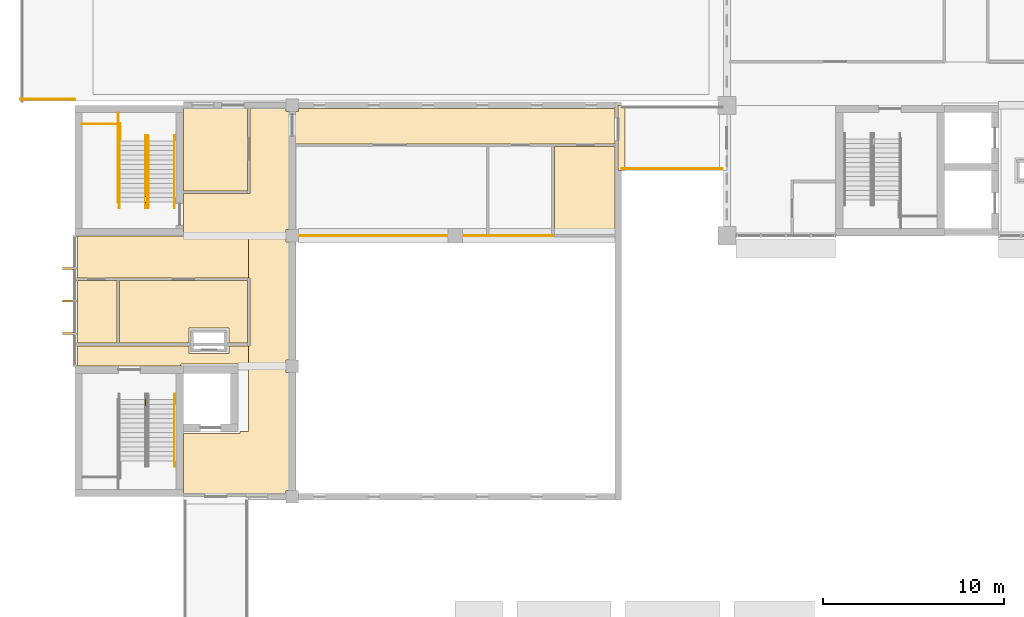
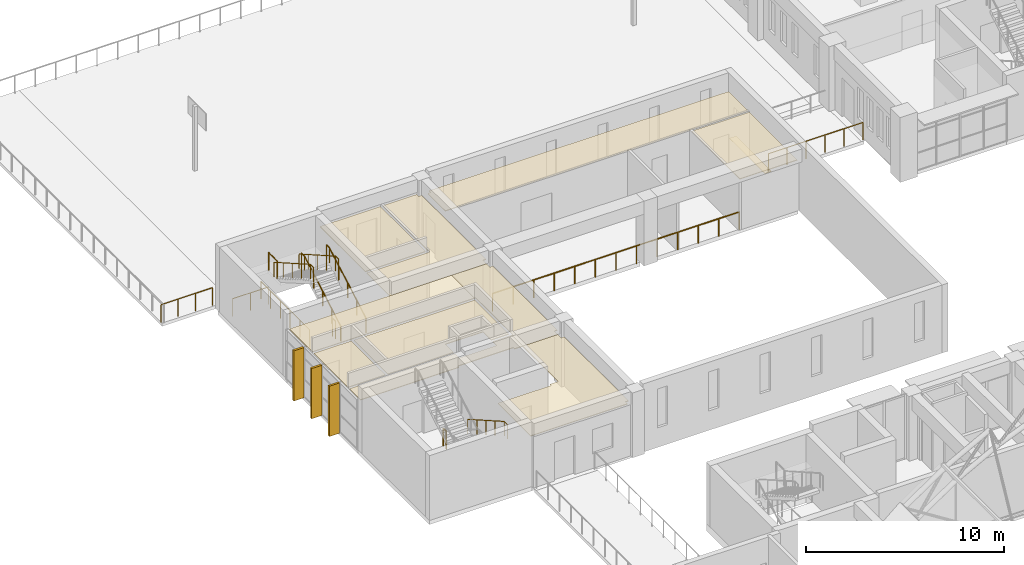
# One storey, part 91 of 101: 13 railings, 11 coverings, 3 shading devices.
"""IFC4 building model written with IfcOpenShell, lengths in metres."""

from ifc_helpers import new_model, si_unit, direction, frame, origin, origin_2d, place, context, subcontext, project, spatial, polyline, rectangle, circle, outline, extrude, material, layer, layer_set, type_object, element, save


model = new_model("IFC4")

# Units and contexts
model_context = context("Model", 3, precision=1e-05, world=origin(), true_north=direction((0.0, 1.0)))
body_context = subcontext(model_context, "Body", "Model", "MODEL_VIEW")
ifc_project = project(units=[si_unit("LENGTHUNIT", "METRE"), si_unit("AREAUNIT", "SQUARE_METRE"), si_unit("VOLUMEUNIT", "CUBIC_METRE"), si_unit("PLANEANGLEUNIT", "RADIAN"), si_unit("MASSUNIT", "GRAM", prefix="KILO")], contexts=[model_context])

# Site, building, storey
site_placement = place(None, origin())
site = spatial("IfcSite", under=ifc_project, at=site_placement, CompositionType="ELEMENT")
building_placement = place(site_placement, origin())
building = spatial("IfcBuilding", under=site, at=building_placement, Name="Laocheng Heights Fire and Rescue Headquarters", CompositionType="ELEMENT")
storey_placement = place(building_placement, frame((0.0, 0.0, 8.39990234375)))
storey = spatial("IfcBuildingStorey", under=building, at=storey_placement, Name="L02", CompositionType="ELEMENT", Elevation=8.39990234375)

# Covering
ifc_material_1 = material(Name="Stainless steel cover plate", Category="steel")
ifc_layer_1 = layer(ifc_material_1, 0.010009765625)
ifc_layer_set_1 = layer_set([ifc_layer_1], Name="Stainless steel cover plate")
covering_type_1 = type_object("IfcCoveringType", Name="MOVEMENT JOINT COVER PLATE 10", PredefinedType="FLOORING", material=ifc_layer_set_1)
covering_1_placement = place(storey_placement, frame((30.175048828125, 55.800048828125, -0.009765625), z_axis=(0.0, 0.0, 1.0), x_axis=(1.0, 0.0, 0.0)))
element("IfcCovering", 1, at=covering_1_placement, inside=storey, type_object=covering_type_1, Name="Bridge B2 movement joint cover plate", PredefinedType="FLOORING", context=body_context, shape_type="SweptSolid", body=[
    extrude(rectangle(XDim=0.39990234375, YDim=3.60009765625, at=origin_2d()), origin(), (0.0, 0.0, 1.0), 0.010009765625),
])

# Shading devices
ifc_material_2 = material(Name="Precast concrete C40/50, light warm grey", Category="concrete")
ifc_layer_2 = layer(ifc_material_2, 0.1201171875)
ifc_layer_set_2 = layer_set([ifc_layer_2], Name="Precast concrete C40/50, light warm grey")
shading_device_type = type_object("IfcShadingDeviceType", Name="PRECAST VERTICAL FIN 120 x 600", PredefinedType="AWNING", material=ifc_layer_set_2)
for number, where, z_axis, x_axis, name in (
    (2, (-0.375, 45.0, 0.0), (0.0, 0.0, 1.0), (1.0, 0.0, 0.0), "FIN FOYER L02"),
    (3, (-0.375, 46.800048828125, 0.0), (0.0, 0.0, 1.0), (1.0, 0.0, 0.0), "FIN FOYER L02"),
    (4, (-0.375, 48.60009765625, 0.0), (0.0, 0.0, 1.0), (1.0, 0.0, 0.0), "FIN FOYER L02"),
):
    element("IfcShadingDevice", number, at=place(storey_placement, frame(where, z_axis=z_axis, x_axis=x_axis)), inside=storey, type_object=shading_device_type, Name=name, PredefinedType="AWNING", context=body_context, shape_type="SweptSolid", body=[
        extrude(rectangle(XDim=0.60009765625, YDim=0.1201171875, at=origin_2d()), origin(), (0.0, 0.0, 1.0), 3.10009765625),
    ])

# Railings
ifc_material_3 = material(Name="Steel Q355B", Category="steel")
railing_type_1 = type_object("IfcRailingType", Name="STAIR GUARD 1100", PredefinedType="GUARDRAIL", material=ifc_material_3)
railing_1_placement = place(storey_placement, frame((3.905029296875, 41.0498046875, 0.0)))
element("IfcRailing", 5, at=railing_1_placement, inside=storey, type_object=railing_type_1, Name="Stair P1 guard L02 well edge", PredefinedType="GUARDRAIL", context=body_context, shape_type="SweptSolid", body=[
    extrude(circle(Radius=0.02392578125, at=origin_2d()), frame((0.0, 0.0, 1.076171875), z_axis=(0.0, 1.0, 0.0), x_axis=(-1.0, 0.0, 0.0)), (0.0, 0.0, 1.0), 0.30029296875),
    extrude(circle(Radius=0.02099609375, at=origin_2d()), origin(), (0.0, 0.0, 1.0), 1.052001953125),
    extrude(circle(Radius=0.02099609375, at=origin_2d()), frame((0.0, 0.30029296875, 0.0)), (0.0, 0.0, 1.0), 1.052001953125),
])
railing_2_placement = place(storey_placement, frame((3.905029296875, 52.550048828125, 0.0)))
element("IfcRailing", 6, at=railing_2_placement, inside=storey, type_object=railing_type_1, Name="Stair P2 guard L02 well edge", PredefinedType="GUARDRAIL", context=body_context, shape_type="SweptSolid", body=[
    extrude(circle(Radius=0.02392578125, at=origin_2d()), frame((0.0, 0.0, 1.076171875), z_axis=(0.0, -1.0, 0.0), x_axis=(1.0, 0.0, 0.0)), (0.0, 0.0, 1.0), 0.300048828125),
    extrude(circle(Radius=0.02099609375, at=origin_2d()), origin(), (0.0, 0.0, 1.0), 1.052001953125),
    extrude(circle(Radius=0.02099609375, at=origin_2d()), frame((0.0, -0.300048828125, 0.0)), (0.0, 0.0, 1.0), 1.052001953125),
])
railing_3_placement = place(storey_placement, frame((2.47509765625, 56.570068359375, 0.0)))
element("IfcRailing", 7, at=railing_3_placement, inside=storey, type_object=railing_type_1, Name="Stair P2 guard L02 tongue edge", PredefinedType="GUARDRAIL", context=body_context, shape_type="SweptSolid", body=[
    extrude(circle(Radius=0.02392578125, at=origin_2d()), frame((0.0, 0.0, 1.076171875), z_axis=(-1.0, 0.0, 0.0), x_axis=(0.0, -1.0, 0.0)), (0.0, 0.0, 1.0), 2.0751953125),
    extrude(circle(Radius=0.02099609375, at=origin_2d()), origin(), (0.0, 0.0, 1.0), 1.052001953125),
    extrude(circle(Radius=0.02099609375, at=origin_2d()), frame((-1.03759765625, 0.0, 0.0)), (0.0, 0.0, 1.0), 1.052001953125),
    extrude(circle(Radius=0.02099609375, at=origin_2d()), frame((-2.0751953125, 0.0, 0.0)), (0.0, 0.0, 1.0), 1.052001953125),
])
railing_4_placement = place(storey_placement, frame((2.39501953125, 57.179931640625, 0.0)))
element("IfcRailing", 8, at=railing_4_placement, inside=storey, type_object=railing_type_1, Name="Stair P2 guard L02 strip edge", PredefinedType="GUARDRAIL", context=body_context, shape_type="SweptSolid", body=[
    extrude(circle(Radius=0.02392578125, at=origin_2d()), frame((0.0, 0.0, 1.076171875), z_axis=(0.0, -1.0, 0.0), x_axis=(1.0, 0.0, 0.0)), (0.0, 0.0, 1.0), 4.929931640625),
    extrude(circle(Radius=0.02099609375, at=origin_2d()), origin(), (0.0, 0.0, 1.0), 1.052001953125),
    extrude(circle(Radius=0.02099609375, at=origin_2d()), frame((0.0, -0.986083984375, 0.0)), (0.0, 0.0, 1.0), 1.052001953125),
    extrude(circle(Radius=0.02099609375, at=origin_2d()), frame((0.0, -1.971923828125, 0.0)), (0.0, 0.0, 1.0), 1.052001953125),
    extrude(circle(Radius=0.02099609375, at=origin_2d()), frame((0.0, -2.9580078125, 0.0)), (0.0, 0.0, 1.0), 1.052001953125),
    extrude(circle(Radius=0.02099609375, at=origin_2d()), frame((0.0, -3.94384765625, 0.0)), (0.0, 0.0, 1.0), 1.052001953125),
    extrude(circle(Radius=0.02099609375, at=origin_2d()), frame((0.0, -4.929931640625, 0.0)), (0.0, 0.0, 1.0), 1.052001953125),
])
railing_5_placement = place(storey_placement, frame((2.5048828125, 56.580078125, 2.10009765625)))
element("IfcRailing", 9, at=railing_5_placement, inside=storey, type_object=railing_type_1, Name="Stair P2 guard L02 half landing", PredefinedType="GUARDRAIL", context=body_context, shape_type="SweptSolid", body=[
    extrude(circle(Radius=0.02392578125, at=origin_2d()), frame((0.0, 0.0, 1.076171875), z_axis=(0.0, -1.0, 0.0), x_axis=(1.0, 0.0, 0.0)), (0.0, 0.0, 1.0), 0.85009765625),
    extrude(circle(Radius=0.02099609375, at=origin_2d()), origin(), (0.0, 0.0, 1.0), 1.052001953125),
    extrude(circle(Radius=0.02099609375, at=origin_2d()), frame((0.0, -0.85009765625, 0.0)), (0.0, 0.0, 1.0), 1.052001953125),
])
ifc_material_4 = material(Name="Steel Q355B", Category="steel")
railing_type_2 = type_object("IfcRailingType", Name="STAIR HANDRAIL 920", PredefinedType="HANDRAIL", material=ifc_material_4)
railing_6_placement = place(storey_placement, frame((5.5048828125, 41.64990234375, 0.0)))
element("IfcRailing", 10, at=railing_6_placement, inside=storey, type_object=railing_type_2, Name="Stair P1 handrail L02 1", PredefinedType="HANDRAIL", context=body_context, shape_type="SweptSolid", body=[
    extrude(circle(Radius=0.02392578125, at=origin_2d()), frame((0.0, 0.0, 0.89599609375), z_axis=(0.0, -0.868519587458, 0.495654845838), x_axis=(1.0, 0.0, 0.0)), (0.0, 0.0, 1.0), 4.237060546875),
    extrude(circle(Radius=0.02392578125, at=origin_2d()), frame((0.0, -3.679931640625, 2.99609375), z_axis=(0.0, -1.0, 0.0), x_axis=(1.0, 0.0, 0.0)), (0.0, 0.0, 1.0), 0.300048828125),
    extrude(circle(Radius=0.02099609375, at=origin_2d()), origin(), (0.0, 0.0, 1.0), 0.871826171875),
    extrude(circle(Radius=0.02099609375, at=origin_2d()), frame((0.0, -0.919921875, 0.52490234375)), (0.0, 0.0, 1.0), 0.871826171875),
    extrude(circle(Radius=0.02099609375, at=origin_2d()), frame((0.0, -1.83984375, 1.050048828125)), (0.0, 0.0, 1.0), 0.871826171875),
    extrude(circle(Radius=0.02099609375, at=origin_2d()), frame((0.0, -2.760009765625, 1.5751953125)), (0.0, 0.0, 1.0), 0.871826171875),
    extrude(circle(Radius=0.02099609375, at=origin_2d()), frame((0.0, -3.679931640625, 2.10009765625)), (0.0, 0.0, 1.0), 0.871826171875),
    extrude(circle(Radius=0.02099609375, at=origin_2d()), frame((0.0, -3.97998046875, 2.10009765625)), (0.0, 0.0, 1.0), 0.871826171875),
])
for number, where, name in (
    (11, (5.5048828125, 51.949951171875, 0.0), "Stair P2 handrail L02 1"),
    (12, (4.044921875, 51.949951171875, 0.0), "Stair P2 handrail L02 2"),
):
    element("IfcRailing", number, at=place(storey_placement, frame(where)), inside=storey, type_object=railing_type_2, Name=name, PredefinedType="HANDRAIL", context=body_context, shape_type="SweptSolid", body=[
        extrude(circle(Radius=0.02392578125, at=origin_2d()), frame((0.0, 0.0, 0.89599609375), z_axis=(0.0, 0.868519587458, 0.495654845838), x_axis=(-1.0, 0.0, 0.0)), (0.0, 0.0, 1.0), 4.237060546875),
        extrude(circle(Radius=0.02392578125, at=origin_2d()), frame((0.0, 3.679931640625, 2.99609375), z_axis=(0.0, 1.0, 0.0), x_axis=(-1.0, 0.0, 0.0)), (0.0, 0.0, 1.0), 0.300048828125),
        extrude(circle(Radius=0.02099609375, at=origin_2d()), origin(), (0.0, 0.0, 1.0), 0.871826171875),
        extrude(circle(Radius=0.02099609375, at=origin_2d()), frame((0.0, 0.919921875, 0.52490234375)), (0.0, 0.0, 1.0), 0.871826171875),
        extrude(circle(Radius=0.02099609375, at=origin_2d()), frame((0.0, 1.83984375, 1.050048828125)), (0.0, 0.0, 1.0), 0.871826171875),
        extrude(circle(Radius=0.02099609375, at=origin_2d()), frame((0.0, 2.760009765625, 1.5751953125)), (0.0, 0.0, 1.0), 0.871826171875),
        extrude(circle(Radius=0.02099609375, at=origin_2d()), frame((0.0, 3.679931640625, 2.10009765625)), (0.0, 0.0, 1.0), 0.871826171875),
        extrude(circle(Radius=0.02099609375, at=origin_2d()), frame((0.0, 3.97998046875, 2.10009765625)), (0.0, 0.0, 1.0), 0.871826171875),
    ])
for number, where, name in (
    (13, (3.905029296875, 55.929931640625, 2.10009765625), "Stair P2 handrail L02 3"),
    (14, (2.445068359375, 55.929931640625, 2.10009765625), "Stair P2 handrail L02 4"),
):
    element("IfcRailing", number, at=place(storey_placement, frame(where)), inside=storey, type_object=railing_type_2, Name=name, PredefinedType="HANDRAIL", context=body_context, shape_type="SweptSolid", body=[
        extrude(circle(Radius=0.02392578125, at=origin_2d()), frame((0.0, 0.0, 0.89599609375), z_axis=(0.0, -0.868519587458, 0.495654845838), x_axis=(1.0, 0.0, 0.0)), (0.0, 0.0, 1.0), 4.237060546875),
        extrude(circle(Radius=0.02392578125, at=origin_2d()), frame((0.0, -3.679931640625, 2.99609375), z_axis=(0.0, -1.0, 0.0), x_axis=(1.0, 0.0, 0.0)), (0.0, 0.0, 1.0), 0.300048828125),
        extrude(circle(Radius=0.02099609375, at=origin_2d()), origin(), (0.0, 0.0, 1.0), 0.871826171875),
        extrude(circle(Radius=0.02099609375, at=origin_2d()), frame((0.0, -0.919921875, 0.52490234375)), (0.0, 0.0, 1.0), 0.871826171875),
        extrude(circle(Radius=0.02099609375, at=origin_2d()), frame((0.0, -1.83984375, 1.050048828125)), (0.0, 0.0, 1.0), 0.871826171875),
        extrude(circle(Radius=0.02099609375, at=origin_2d()), frame((0.0, -2.760009765625, 1.5751953125)), (0.0, 0.0, 1.0), 0.871826171875),
        extrude(circle(Radius=0.02099609375, at=origin_2d()), frame((0.0, -3.679931640625, 2.10009765625)), (0.0, 0.0, 1.0), 0.871826171875),
        extrude(circle(Radius=0.02099609375, at=origin_2d()), frame((0.0, -3.97998046875, 2.10009765625)), (0.0, 0.0, 1.0), 0.871826171875),
    ])
ifc_material_5 = material(Name="Steel and laminated glass", Category="steel")
railing_type_3 = type_object("IfcRailingType", Name="STEEL AND LAMINATED GLASS GUARD 1100 PAVILION", PredefinedType="GUARDRAIL", material=ifc_material_5)
railing_7_placement = place(storey_placement, frame((12.0, 50.39990234375, 0.0)))
element("IfcRailing", 15, at=railing_7_placement, inside=storey, type_object=railing_type_3, Name="Theatre balcony guard", PredefinedType="GUARDRAIL", context=body_context, shape_type="SweptSolid", body=[
    extrude(circle(Radius=0.02392578125, at=origin_2d()), frame((0.0, 0.0, 1.076171875), z_axis=(1.0, 0.0, 0.0), x_axis=(0.0, 1.0, 0.0)), (0.0, 0.0, 1.0), 14.39990234375),
    extrude(circle(Radius=0.02099609375, at=origin_2d()), origin(), (0.0, 0.0, 1.0), 1.052001953125),
    extrude(circle(Radius=0.02099609375, at=origin_2d()), frame((1.199951171875, 0.0, 0.0)), (0.0, 0.0, 1.0), 1.052001953125),
    extrude(circle(Radius=0.02099609375, at=origin_2d()), frame((2.39990234375, 0.0, 0.0)), (0.0, 0.0, 1.0), 1.052001953125),
    extrude(circle(Radius=0.02099609375, at=origin_2d()), frame((3.60009765625, 0.0, 0.0)), (0.0, 0.0, 1.0), 1.052001953125),
    extrude(circle(Radius=0.02099609375, at=origin_2d()), frame((4.800048828125, 0.0, 0.0)), (0.0, 0.0, 1.0), 1.052001953125),
    extrude(circle(Radius=0.02099609375, at=origin_2d()), frame((6.0, 0.0, 0.0)), (0.0, 0.0, 1.0), 1.052001953125),
    extrude(circle(Radius=0.02099609375, at=origin_2d()), frame((7.199951171875, 0.0, 0.0)), (0.0, 0.0, 1.0), 1.052001953125),
    extrude(circle(Radius=0.02099609375, at=origin_2d()), frame((8.39990234375, 0.0, 0.0)), (0.0, 0.0, 1.0), 1.052001953125),
    extrude(circle(Radius=0.02099609375, at=origin_2d()), frame((9.599853515625, 0.0, 0.0)), (0.0, 0.0, 1.0), 1.052001953125),
    extrude(circle(Radius=0.02099609375, at=origin_2d()), frame((10.7998046875, 0.0, 0.0)), (0.0, 0.0, 1.0), 1.052001953125),
    extrude(circle(Radius=0.02099609375, at=origin_2d()), frame((12.0, 0.0, 0.0)), (0.0, 0.0, 1.0), 1.052001953125),
    extrude(circle(Radius=0.02099609375, at=origin_2d()), frame((13.199951171875, 0.0, 0.0)), (0.0, 0.0, 1.0), 1.052001953125),
    extrude(circle(Radius=0.02099609375, at=origin_2d()), frame((14.39990234375, 0.0, 0.0)), (0.0, 0.0, 1.0), 1.052001953125),
])
ifc_material_6 = material(Name="Steel Q355B", Category="steel")
railing_type_4 = type_object("IfcRailingType", Name="STEEL GUARDRAIL 1100 BRIDGE", PredefinedType="GUARDRAIL", material=ifc_material_6)
railing_8_placement = place(storey_placement, frame((30.22509765625, 54.10009765625, 0.0)))
element("IfcRailing", 16, at=railing_8_placement, inside=storey, type_object=railing_type_4, Name="Bridge B2 guard", PredefinedType="GUARDRAIL", context=body_context, shape_type="SweptSolid", body=[
    extrude(circle(Radius=0.02490234375, at=origin_2d()), frame((0.0, 0.0, 1.0751953125), z_axis=(1.0, 0.0, 0.0), x_axis=(0.0, 1.0, 0.0)), (0.0, 0.0, 1.0), 5.52490234375),
    extrude(circle(Radius=0.02490234375, at=origin_2d()), origin(), (0.0, 0.0, 1.0), 1.050048828125),
    extrude(circle(Radius=0.02490234375, at=origin_2d()), frame((1.10498046875, 0.0, 0.0)), (0.0, 0.0, 1.0), 1.050048828125),
    extrude(circle(Radius=0.02490234375, at=origin_2d()), frame((2.2099609375, 0.0, 0.0)), (0.0, 0.0, 1.0), 1.050048828125),
    extrude(circle(Radius=0.02490234375, at=origin_2d()), frame((3.31494140625, 0.0, 0.0)), (0.0, 0.0, 1.0), 1.050048828125),
    extrude(circle(Radius=0.02490234375, at=origin_2d()), frame((4.419921875, 0.0, 0.0)), (0.0, 0.0, 1.0), 1.050048828125),
    extrude(circle(Radius=0.02490234375, at=origin_2d()), frame((5.52490234375, 0.0, 0.0)), (0.0, 0.0, 1.0), 1.050048828125),
])
ifc_material_7 = material(Name="Steel Q355B", Category="steel")
railing_type_5 = type_object("IfcRailingType", Name="STEEL GUARDRAIL 1100 TERRACE EDGE", PredefinedType="GUARDRAIL", material=ifc_material_7)
railing_9_placement = place(storey_placement, frame((-3.0, 57.925048828125, 0.0)))
element("IfcRailing", 17, at=railing_9_placement, inside=storey, type_object=railing_type_5, Name="Guard on top of RW2 -3 to 0", PredefinedType="GUARDRAIL", context=body_context, shape_type="SweptSolid", body=[
    extrude(circle(Radius=0.02490234375, at=origin_2d()), frame((0.0, 0.0, 1.0751953125), z_axis=(1.0, 0.0, 0.0), x_axis=(0.0, 1.0, 0.0)), (0.0, 0.0, 1.0), 3.0),
    extrude(circle(Radius=0.02490234375, at=origin_2d()), origin(), (0.0, 0.0, 1.0), 1.050048828125),
    extrude(circle(Radius=0.02490234375, at=origin_2d()), frame((1.0, 0.0, 0.0)), (0.0, 0.0, 1.0), 1.050048828125),
    extrude(circle(Radius=0.02490234375, at=origin_2d()), frame((2.0, 0.0, 0.0)), (0.0, 0.0, 1.0), 1.050048828125),
    extrude(circle(Radius=0.02490234375, at=origin_2d()), frame((3.0, 0.0, 0.0)), (0.0, 0.0, 1.0), 1.050048828125),
])

# Coverings
ifc_material_8 = material(Name="Mineral fibre ceiling tile")
ifc_layer_3 = layer(ifc_material_8, 0.0400390625)
ifc_layer_set_3 = layer_set([ifc_layer_3], Name="Mineral fibre ceiling tile")
covering_type_2 = type_object("IfcCoveringType", Name="SUSPENDED CEILING MINERAL FIBRE TILE PAVILION", PredefinedType="CEILING", material=ifc_layer_set_3)
covering_2_placement = place(storey_placement, frame((0.0, 0.0, 3.0)))
element("IfcCovering", 18, at=covering_2_placement, inside=storey, type_object=covering_type_2, Name="Circulation ceiling", PredefinedType="CEILING", context=body_context, shape_type="SweptSolid", body=[
    extrude(outline(polyline([(6.125, 39.47509765625), (8.875, 39.47509765625), (9.125, 39.47509765625), (9.125, 39.60009765625), (9.60009765625, 39.60009765625), (9.60009765625, 43.199951171875), (11.64990234375, 43.199951171875), (11.64990234375, 42.85009765625), (11.824951171875, 42.85009765625), (11.824951171875, 36.35009765625), (11.64990234375, 36.35009765625), (11.64990234375, 36.14990234375), (6.0, 36.14990234375), (6.0, 39.47509765625), (6.125, 39.47509765625)])), origin(), (0.0, 0.0, 1.0), 0.0400390625),
])
covering_3_placement = place(storey_placement, frame((0.0, 0.0, 3.0)))
element("IfcCovering", 19, at=covering_3_placement, inside=storey, type_object=covering_type_2, Name="Circulation Spine ceiling", PredefinedType="CEILING", context=body_context, shape_type="SweptSolid", body=[
    extrude(outline(polyline([(11.64990234375, 50.39990234375), (11.64990234375, 50.050048828125), (11.824951171875, 50.050048828125), (11.824951171875, 43.550048828125), (11.64990234375, 43.550048828125), (11.64990234375, 43.199951171875), (9.60009765625, 43.199951171875), (9.60009765625, 44.324951171875), (9.675048828125, 44.324951171875), (9.675048828125, 48.074951171875), (9.60009765625, 48.074951171875), (9.60009765625, 50.39990234375), (11.64990234375, 50.39990234375)])), origin(), (0.0, 0.0, 1.0), 0.0400390625),
])
covering_4_placement = place(storey_placement, frame((0.0, 0.0, 3.0)))
element("IfcCovering", 20, at=covering_4_placement, inside=storey, type_object=covering_type_2, Name="Stair Lobby ceiling", PredefinedType="CEILING", context=body_context, shape_type="SweptSolid", body=[
    extrude(outline(polyline([(6.0, 52.72509765625), (9.52490234375, 52.72509765625), (9.675048828125, 52.72509765625), (9.675048828125, 57.449951171875), (11.64990234375, 57.449951171875), (11.64990234375, 57.25), (11.824951171875, 57.25), (11.824951171875, 50.75), (11.64990234375, 50.75), (11.64990234375, 50.39990234375), (6.0, 50.39990234375), (6.0, 52.72509765625)])), origin(), (0.0, 0.0, 1.0), 0.0400390625),
])
covering_5_placement = place(storey_placement, frame((0.0, 0.0, 3.0)))
element("IfcCovering", 21, at=covering_5_placement, inside=storey, type_object=covering_type_2, Name="Stair Lobby North ceiling", PredefinedType="CEILING", context=body_context, shape_type="SweptSolid", body=[
    extrude(outline(polyline([(9.125, 43.199951171875), (9.125, 43.324951171875), (8.875, 43.324951171875), (6.125, 43.324951171875), (5.875, 43.324951171875), (5.875, 43.199951171875), (0.14990234375, 43.199951171875), (0.14990234375, 44.324951171875), (6.300048828125, 44.324951171875), (6.300048828125, 44.10009765625), (6.300048828125, 43.89990234375), (6.5, 43.89990234375), (8.300048828125, 43.89990234375), (8.5, 43.89990234375), (8.5, 44.10009765625), (8.5, 44.324951171875), (9.52490234375, 44.324951171875), (9.60009765625, 44.324951171875), (9.60009765625, 43.199951171875), (9.125, 43.199951171875)])), origin(), (0.0, 0.0, 1.0), 0.0400390625),
])
covering_6_placement = place(storey_placement, frame((0.0, 0.0, 3.0)))
element("IfcCovering", 22, at=covering_6_placement, inside=storey, type_object=covering_type_2, Name="Accessible WC ceiling", PredefinedType="CEILING", context=body_context, shape_type="SweptSolid", body=[
    extrude(outline(polyline([(0.14990234375, 44.47509765625), (0.14990234375, 47.925048828125), (2.324951171875, 47.925048828125), (2.324951171875, 44.47509765625), (0.14990234375, 44.47509765625)])), origin(), (0.0, 0.0, 1.0), 0.0400390625),
])
covering_7_placement = place(storey_placement, frame((0.0, 0.0, 3.0)))
element("IfcCovering", 23, at=covering_7_placement, inside=storey, type_object=covering_type_2, Name="Community Room A ceiling", PredefinedType="CEILING", context=body_context, shape_type="SweptSolid", body=[
    extrude(outline(polyline([(9.52490234375, 44.47509765625), (8.5, 44.47509765625), (8.5, 45.10009765625), (8.5, 45.300048828125), (8.300048828125, 45.300048828125), (6.5, 45.300048828125), (6.300048828125, 45.300048828125), (6.300048828125, 45.10009765625), (6.300048828125, 44.47509765625), (2.47509765625, 44.47509765625), (2.47509765625, 47.925048828125), (9.52490234375, 47.925048828125), (9.52490234375, 44.47509765625)])), origin(), (0.0, 0.0, 1.0), 0.0400390625),
])
covering_8_placement = place(storey_placement, frame((0.0, 0.0, 3.0)))
element("IfcCovering", 24, at=covering_8_placement, inside=storey, type_object=covering_type_2, Name="Community Tea Room ceiling", PredefinedType="CEILING", context=body_context, shape_type="SweptSolid", body=[
    extrude(outline(polyline([(9.60009765625, 48.074951171875), (9.52490234375, 48.074951171875), (0.14990234375, 48.074951171875), (0.14990234375, 50.39990234375), (9.60009765625, 50.39990234375), (9.60009765625, 48.074951171875)])), origin(), (0.0, 0.0, 1.0), 0.0400390625),
])
covering_9_placement = place(storey_placement, frame((0.0, 0.0, 3.0)))
element("IfcCovering", 25, at=covering_9_placement, inside=storey, type_object=covering_type_2, Name="Community Room B ceiling", PredefinedType="CEILING", context=body_context, shape_type="SweptSolid", body=[
    extrude(outline(polyline([(9.52490234375, 57.449951171875), (9.52490234375, 52.875), (6.0, 52.875), (6.0, 57.449951171875), (9.52490234375, 57.449951171875)])), origin(), (0.0, 0.0, 1.0), 0.0400390625),
])
covering_10_placement = place(storey_placement, frame((0.0, 0.0, 3.0)))
element("IfcCovering", 26, at=covering_10_placement, inside=storey, type_object=covering_type_2, Name="Public Toilets ceiling", PredefinedType="CEILING", context=body_context, shape_type="SweptSolid", body=[
    extrude(outline(polyline([(26.47509765625, 50.47509765625), (26.47509765625, 55.324951171875), (29.824951171875, 55.324951171875), (29.824951171875, 50.47509765625), (26.47509765625, 50.47509765625)])), origin(), (0.0, 0.0, 1.0), 0.0400390625),
])
covering_11_placement = place(storey_placement, frame((0.0, 0.0, 3.0)))
element("IfcCovering", 27, at=covering_11_placement, inside=storey, type_object=covering_type_2, Name="Gallery Link Circulation ceiling", PredefinedType="CEILING", context=body_context, shape_type="SweptSolid", body=[
    extrude(outline(polyline([(12.175048828125, 57.25), (12.35009765625, 57.25), (12.35009765625, 57.425048828125), (29.824951171875, 57.425048828125), (29.824951171875, 55.47509765625), (12.175048828125, 55.47509765625), (12.175048828125, 57.25)])), origin(), (0.0, 0.0, 1.0), 0.0400390625),
])

save(model, "model.ifc")
